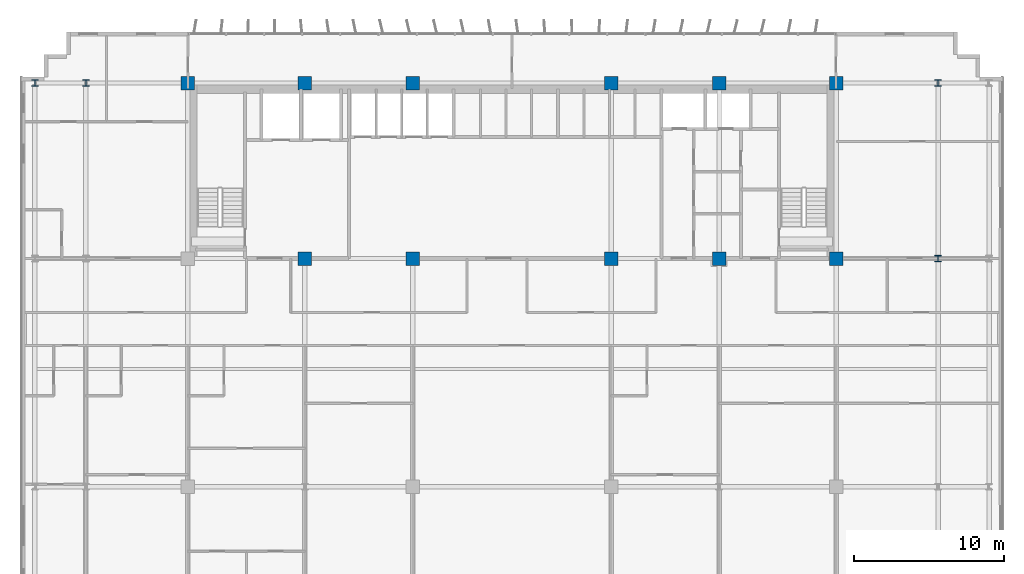
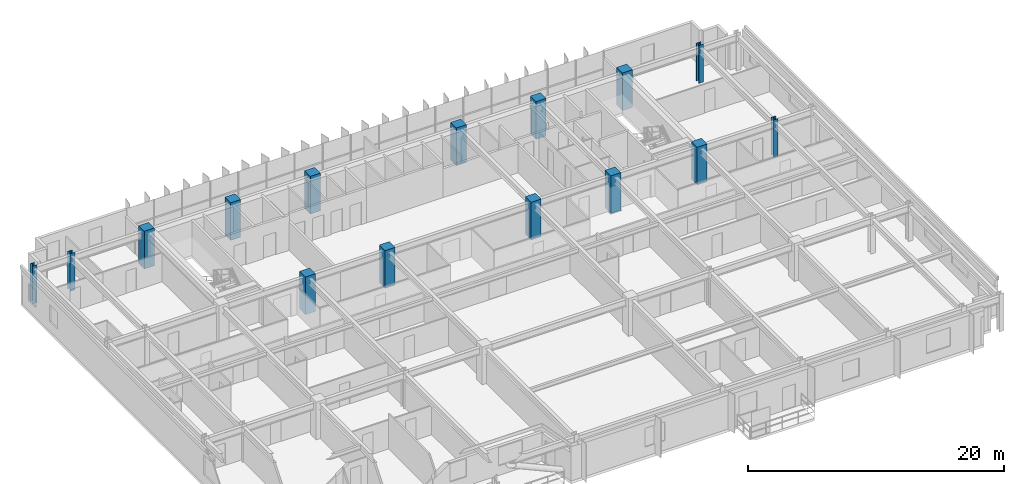
# One storey, part 2 of 23: 15 columns.
"""IFC4 building model written with IfcOpenShell, lengths in metres."""

from ifc_helpers import new_model, si_unit, direction, frame, origin, origin_2d, place, context, subcontext, project, spatial, rectangle, i_section, extrude, source, transform, mapped, material, material_profile, profile_set, type_object, element, save


model = new_model("IFC4")

# Units and contexts
model_context = context("Model", 3, precision=1e-05, world=origin(), true_north=direction((0.0, 1.0)))
body_context = subcontext(model_context, "Body", "Model", "MODEL_VIEW")
ifc_project = project(units=[si_unit("LENGTHUNIT", "METRE"), si_unit("AREAUNIT", "SQUARE_METRE"), si_unit("VOLUMEUNIT", "CUBIC_METRE"), si_unit("PLANEANGLEUNIT", "RADIAN"), si_unit("MASSUNIT", "GRAM", prefix="KILO")], contexts=[model_context])

# Site, building, storey
site_placement = place(None, origin())
site = spatial("IfcSite", under=ifc_project, at=site_placement, CompositionType="ELEMENT")
building_placement = place(site_placement, origin())
building = spatial("IfcBuilding", under=site, at=building_placement, Name="Trelvane Seafront Commons", CompositionType="ELEMENT")
storey_placement = place(building_placement, frame((0.0, 0.0, 63.10009765625)))
storey = spatial("IfcBuildingStorey", under=building, at=storey_placement, Name="L16", CompositionType="ELEMENT", Elevation=63.10009765625)

# Columns
ifc_material_1 = material(Name="Steel SM355 (S355)", Category="steel")
ifc_material_profile_1 = material_profile(ifc_material_1, i_section(OverallWidth=0.419921875, OverallDepth=0.419921875, WebThickness=0.02587890625, FlangeThickness=0.0400390625, at=origin_2d()), Name="HD-420x420x26x40")
ifc_profile_set_1 = profile_set([ifc_material_profile_1], Name="Steel SM355 (S355)")
column_type_1 = type_object("IfcColumnType", Name="STR-COL-HD420", PredefinedType="COLUMN", material=ifc_profile_set_1)
shared_shape_1 = source(origin(), body_context, "Body", "SweptSolid", [
    extrude(i_section(OverallWidth=0.419921875, OverallDepth=0.419921875, WebThickness=0.02587890625, FlangeThickness=0.0400390625, at=origin_2d()), origin(), (0.0, 0.0, 1.0), 3.599853515625),
])
for number, where, z_axis, x_axis, name in (
    (1, (5.39990234375, 45.10009765625, 0.0), (0.0, 0.0, 1.0), (1.0, 0.0, 0.0), "L16 Column TC-CN5.4"),
    (2, (8.800048828125, 45.10009765625, 0.0), (0.0, 0.0, 1.0), (1.0, 0.0, 0.0), "L16 Column TC-CN8.8"),
    (3, (65.60009765625, 33.39990234375, 0.0), (0.0, 0.0, 1.0), (1.0, 0.0, 0.0), "L16 Column TC-CS65.6"),
    (4, (65.60009765625, 45.10009765625, 0.0), (0.0, 0.0, 1.0), (1.0, 0.0, 0.0), "L16 Column TC-CN65.6"),
):
    element("IfcColumn", number, at=place(storey_placement, frame(where, z_axis=z_axis, x_axis=x_axis)), inside=storey, type_object=column_type_1, Name=name, PredefinedType="COLUMN", context=body_context, shape_type="MappedRepresentation", body=[
        mapped(shared_shape_1, transform((0.0, 0.0, 0.0), x_axis=(1.0, 0.0, 0.0), y_axis=(0.0, 1.0, 0.0), z_axis=(0.0, 0.0, 1.0), scale=1.0)),
    ])
ifc_material_2 = material(Name="Concrete C60/75", Category="concrete")
ifc_material_profile_2 = material_profile(ifc_material_2, rectangle(XDim=0.89990234375, YDim=0.89990234375, at=origin_2d()), Name="RC-900x900")
ifc_profile_set_2 = profile_set([ifc_material_profile_2], Name="Concrete C60/75")
column_type_2 = type_object("IfcColumnType", Name="STR-COL-RC900", PredefinedType="COLUMN", material=ifc_profile_set_2)
shared_shape_2 = source(origin(), body_context, "Body", "SweptSolid", [
    extrude(rectangle(XDim=0.89990234375, YDim=0.89990234375, at=origin_2d()), origin(), (0.0, 0.0, 1.0), 3.599853515625),
])
for number, where, z_axis, x_axis, name in (
    (5, (15.60009765625, 45.10009765625, 0.0), (0.0, 0.0, 1.0), (1.0, 0.0, 0.0), "L16 Column TC-CN15.6"),
    (6, (23.39990234375, 33.39990234375, 0.0), (0.0, 0.0, 1.0), (1.0, 0.0, 0.0), "L16 Column TC-CS23.4"),
    (7, (23.39990234375, 45.10009765625, 0.0), (0.0, 0.0, 1.0), (1.0, 0.0, 0.0), "L16 Column TC-CN23.4"),
    (8, (30.60009765625, 33.39990234375, 0.0), (0.0, 0.0, 1.0), (1.0, 0.0, 0.0), "L16 Column TC-CS30.6"),
    (9, (30.60009765625, 45.10009765625, 0.0), (0.0, 0.0, 1.0), (1.0, 0.0, 0.0), "L16 Column TC-CN30.6"),
    (10, (43.800048828125, 33.39990234375, 0.0), (0.0, 0.0, 1.0), (1.0, 0.0, 0.0), "L16 Column TC-CS43.8"),
    (11, (43.800048828125, 45.10009765625, 0.0), (0.0, 0.0, 1.0), (1.0, 0.0, 0.0), "L16 Column TC-CN43.8"),
    (12, (51.0, 33.39990234375, 0.0), (0.0, 0.0, 1.0), (1.0, 0.0, 0.0), "L16 Column TC-CS51.0"),
    (13, (51.0, 45.10009765625, 0.0), (0.0, 0.0, 1.0), (1.0, 0.0, 0.0), "L16 Column TC-CN51.0"),
    (14, (58.800048828125, 33.39990234375, 0.0), (0.0, 0.0, 1.0), (1.0, 0.0, 0.0), "L16 Column TC-CS58.8"),
    (15, (58.800048828125, 45.10009765625, 0.0), (0.0, 0.0, 1.0), (1.0, 0.0, 0.0), "L16 Column TC-CN58.8"),
):
    element("IfcColumn", number, at=place(storey_placement, frame(where, z_axis=z_axis, x_axis=x_axis)), inside=storey, type_object=column_type_2, Name=name, PredefinedType="COLUMN", context=body_context, shape_type="MappedRepresentation", body=[
        mapped(shared_shape_2, transform((0.0, 0.0, 0.0), x_axis=(1.0, 0.0, 0.0), y_axis=(0.0, 1.0, 0.0), z_axis=(0.0, 0.0, 1.0), scale=1.0)),
    ])

save(model, "model.ifc")
